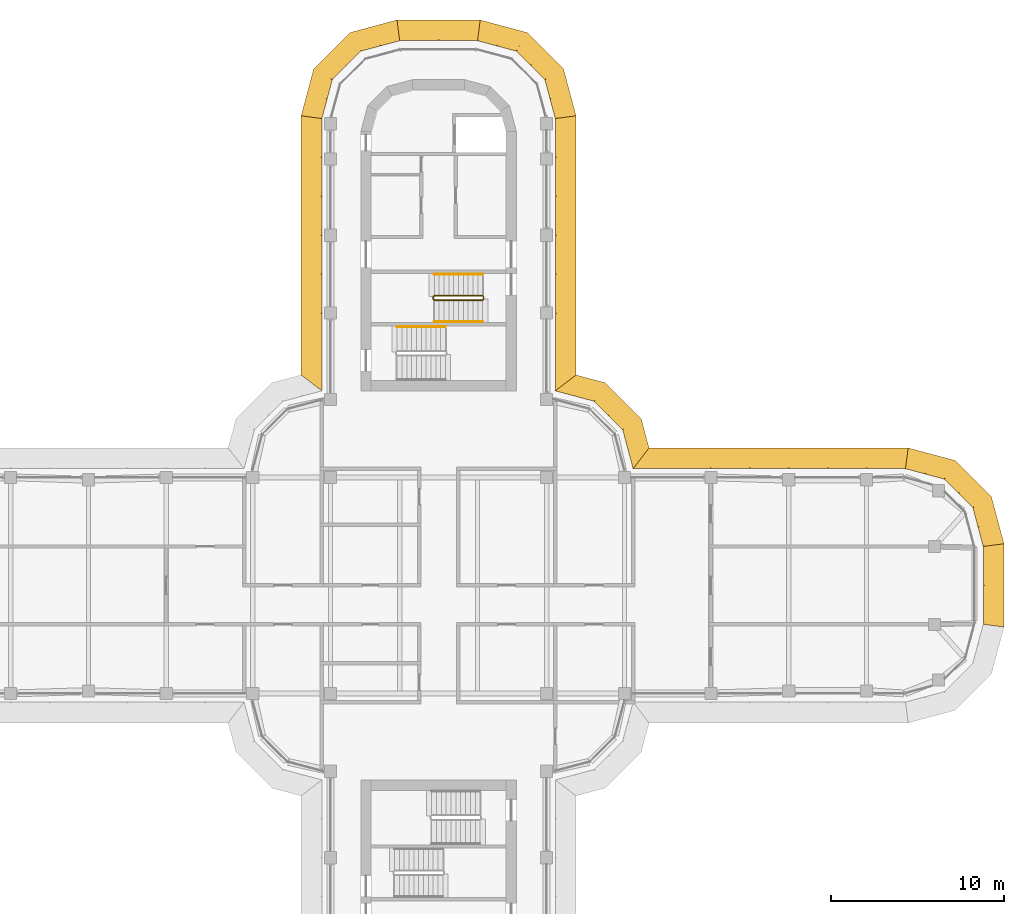
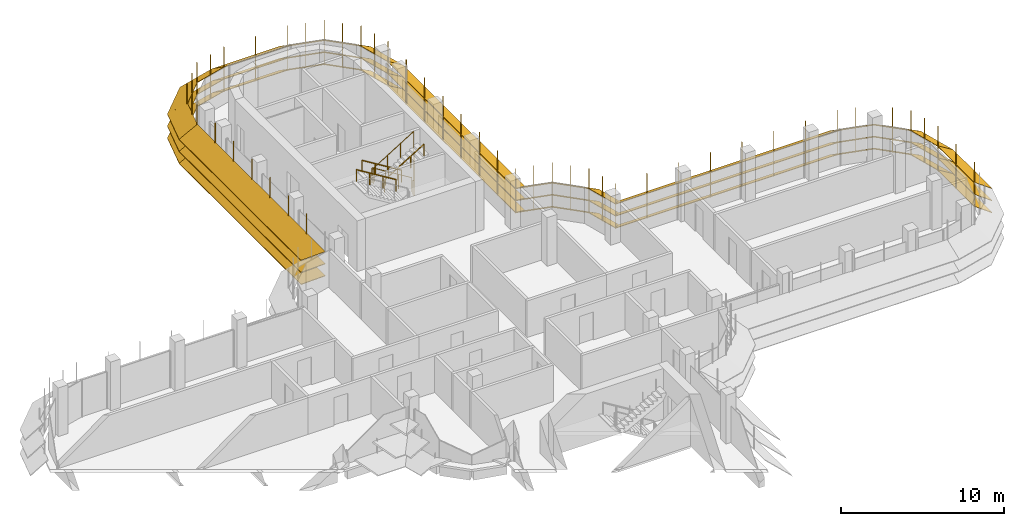
# One storey, part 19 of 19: 9 shading devices, 4 railings.
"""IFC4 building model written with IfcOpenShell, lengths in metres."""

from ifc_helpers import new_model, si_unit, direction, frame, origin, origin_2d, place, context, subcontext, project, spatial, polyline, circle, outline, extrude, faceted_brep, source, transform, mapped, material, type_object, element, save


model = new_model("IFC4")

# Units and contexts
model_context = context("Model", 3, precision=1e-05, world=origin(), true_north=direction((0.0, 1.0)))
body_context = subcontext(model_context, "Body", "Model", "MODEL_VIEW")
ifc_project = project(units=[si_unit("LENGTHUNIT", "METRE"), si_unit("AREAUNIT", "SQUARE_METRE"), si_unit("VOLUMEUNIT", "CUBIC_METRE"), si_unit("PLANEANGLEUNIT", "RADIAN"), si_unit("MASSUNIT", "GRAM", prefix="KILO")], contexts=[model_context])

# Site, building, storey
site_placement = place(None, origin())
site = spatial("IfcSite", under=ifc_project, at=site_placement, CompositionType="ELEMENT")
building_placement = place(site_placement, origin())
building = spatial("IfcBuilding", under=site, at=building_placement, Name="Zarbagh Exchange Tower", CompositionType="ELEMENT")
storey_placement = place(building_placement, frame((0.0, 0.0, 199.199951171875)))
storey = spatial("IfcBuildingStorey", under=building, at=storey_placement, Name="L48", CompositionType="ELEMENT", Elevation=199.199951171875)

# Railings
ifc_material_1 = material(Name="Stainless steel", Category="steel")
railing_type_1 = type_object("IfcRailingType", Name="Stair guard 1100 mm", PredefinedType="GUARDRAIL", material=ifc_material_1)
railing_1_placement = place(storey_placement, frame((2.550048828125, 16.75, 0.1728515625)))
element("IfcRailing", 1, at=railing_1_placement, inside=storey, type_object=railing_type_1, Name="ST1 stair guard 1", PredefinedType="GUARDRAIL", context=body_context, shape_type="SweptSolid", body=[
    extrude(circle(Radius=0.02392578125, at=origin_2d()), frame((0.0, 0.0, 1.076171875), z_axis=(-0.851089632645, 0.0, 0.525020415988), x_axis=(0.0, -1.0, 0.0)), (0.0, 0.0, 1.0), 3.2900390625),
    extrude(circle(Radius=0.02392578125, at=origin_2d()), frame((-2.800048828125, 0.0, 2.80322265625), z_axis=(-0.707106781187, -0.707106781187, 0.0), x_axis=(0.707106781187, -0.707106781187, 0.0)), (0.0, 0.0, 1.0), 0.07080078125),
    extrude(circle(Radius=0.02392578125, at=origin_2d()), frame((-2.85009765625, -0.050048828125, 2.80322265625), z_axis=(0.0, -1.0, 0.0), x_axis=(1.0, 0.0, 0.0)), (0.0, 0.0, 1.0), 0.14990234375),
    extrude(circle(Radius=0.02392578125, at=origin_2d()), frame((-2.85009765625, -0.199951171875, 2.80322265625), z_axis=(0.268277960024, -0.268277960024, 0.925231793839), x_axis=(0.707106781187, 0.707106781187, 0.0)), (0.0, 0.0, 1.0), 0.1865234375),
    extrude(circle(Radius=0.02392578125, at=origin_2d()), frame((-2.800048828125, -0.25, 2.97607421875), z_axis=(0.851089632645, 0.0, 0.525020415988), x_axis=(0.0, 1.0, 0.0)), (0.0, 0.0, 1.0), 3.2900390625),
    extrude(circle(Radius=0.02392578125, at=origin_2d()), frame((0.0, -0.25, 4.703125), z_axis=(0.013168290981, 0.013168290981, -0.999826581076), x_axis=(-0.707106781187, 0.707106781187, 0.0)), (0.0, 0.0, 1.0), 3.80078125),
    extrude(circle(Radius=0.02392578125, at=origin_2d()), frame((0.050048828125, -0.199951171875, 0.9033203125), z_axis=(0.0, 1.0, 0.0), x_axis=(-1.0, 0.0, 0.0)), (0.0, 0.0, 1.0), 0.14990234375),
    extrude(circle(Radius=0.02099609375, at=origin_2d()), origin(), (0.0, 0.0, 1.0), 1.052001953125),
    extrude(circle(Radius=0.02099609375, at=origin_2d()), frame((-0.933349609375, 0.0, 0.57568359375)), (0.0, 0.0, 1.0), 1.052001953125),
    extrude(circle(Radius=0.02099609375, at=origin_2d()), frame((-1.86669921875, 0.0, 1.151611328125)), (0.0, 0.0, 1.0), 1.052001953125),
    extrude(circle(Radius=0.02099609375, at=origin_2d()), frame((-2.800048828125, 0.0, 1.727294921875)), (0.0, 0.0, 1.0), 1.052001953125),
    extrude(circle(Radius=0.02099609375, at=origin_2d()), frame((-2.85009765625, -0.050048828125, 1.727294921875)), (0.0, 0.0, 1.0), 1.052001953125),
    extrude(circle(Radius=0.02099609375, at=origin_2d()), frame((-2.85009765625, -0.199951171875, 1.727294921875)), (0.0, 0.0, 1.0), 1.052001953125),
    extrude(circle(Radius=0.02099609375, at=origin_2d()), frame((-2.800048828125, -0.25, 1.89990234375)), (0.0, 0.0, 1.0), 1.052001953125),
    extrude(circle(Radius=0.02099609375, at=origin_2d()), frame((-1.86669921875, -0.25, 2.4755859375)), (0.0, 0.0, 1.0), 1.052001953125),
    extrude(circle(Radius=0.02099609375, at=origin_2d()), frame((-0.933349609375, -0.25, 3.051513671875)), (0.0, 0.0, 1.0), 1.052001953125),
    extrude(circle(Radius=0.02099609375, at=origin_2d()), frame((0.0, -0.25, 3.627197265625)), (0.0, 0.0, 1.0), 1.052001953125),
    extrude(circle(Radius=0.02099609375, at=origin_2d()), frame((0.012451171875, -0.237548828125, 2.67724609375)), (0.0, 0.0, 1.0), 1.052001953125),
    extrude(circle(Radius=0.02099609375, at=origin_2d()), frame((0.02490234375, -0.22509765625, 1.72705078125)), (0.0, 0.0, 1.0), 1.052001953125),
    extrude(circle(Radius=0.02099609375, at=origin_2d()), frame((0.03759765625, -0.21240234375, 0.777099609375)), (0.0, 0.0, 1.0), 1.052001953125),
    extrude(circle(Radius=0.02099609375, at=origin_2d()), frame((0.050048828125, -0.199951171875, -0.1728515625)), (0.0, 0.0, 1.0), 1.052001953125),
    extrude(circle(Radius=0.02099609375, at=origin_2d()), frame((0.050048828125, -0.050048828125, -0.1728515625)), (0.0, 0.0, 1.0), 1.052001953125),
])
railing_type_2 = type_object("IfcRailingType", Name="Stair handrail 900 mm", PredefinedType="HANDRAIL", material=ifc_material_1)
railing_2_placement = place(storey_placement, frame((2.550048828125, 18.0, 0.1728515625)))
element("IfcRailing", 2, at=railing_2_placement, inside=storey, type_object=railing_type_2, Name="ST1 stair handrail 1", PredefinedType="HANDRAIL", context=body_context, shape_type="SweptSolid", body=[
    extrude(circle(Radius=0.02392578125, at=origin_2d()), frame((0.0, 0.0, 0.8759765625), z_axis=(-0.851089632645, 0.0, 0.525020415988), x_axis=(0.0, -1.0, 0.0)), (0.0, 0.0, 1.0), 3.2900390625),
    extrude(circle(Radius=0.02099609375, at=origin_2d()), origin(), (0.0, 0.0, 1.0), 0.851806640625),
    extrude(circle(Radius=0.02099609375, at=origin_2d()), frame((-0.933349609375, 0.0, 0.57568359375)), (0.0, 0.0, 1.0), 0.851806640625),
    extrude(circle(Radius=0.02099609375, at=origin_2d()), frame((-1.86669921875, 0.0, 1.151611328125)), (0.0, 0.0, 1.0), 0.851806640625),
    extrude(circle(Radius=0.02099609375, at=origin_2d()), frame((-2.800048828125, 0.0, 1.727294921875)), (0.0, 0.0, 1.0), 0.851806640625),
])
railing_3_placement = place(storey_placement, frame((-0.25, 15.25, 2.07275390625)))
element("IfcRailing", 3, at=railing_3_placement, inside=storey, type_object=railing_type_2, Name="ST1 stair handrail 2", PredefinedType="HANDRAIL", context=body_context, shape_type="SweptSolid", body=[
    extrude(circle(Radius=0.02392578125, at=origin_2d()), frame((0.0, 0.0, 0.8759765625), z_axis=(0.851089632645, 0.0, 0.525020415988), x_axis=(0.0, 1.0, 0.0)), (0.0, 0.0, 1.0), 3.2900390625),
    extrude(circle(Radius=0.02099609375, at=origin_2d()), origin(), (0.0, 0.0, 1.0), 0.851806640625),
    extrude(circle(Radius=0.02099609375, at=origin_2d()), frame((0.933349609375, 0.0, 0.57568359375)), (0.0, 0.0, 1.0), 0.851806640625),
    extrude(circle(Radius=0.02099609375, at=origin_2d()), frame((1.86669921875, 0.0, 1.151611328125)), (0.0, 0.0, 1.0), 0.851806640625),
    extrude(circle(Radius=0.02099609375, at=origin_2d()), frame((2.800048828125, 0.0, 1.727294921875)), (0.0, 0.0, 1.0), 0.851806640625),
])
railing_4_placement = place(storey_placement, frame((0.39990234375, 14.949951171875, 2.07275390625)))
element("IfcRailing", 4, at=railing_4_placement, inside=storey, type_object=railing_type_2, Name="ST2 stair handrail 2", PredefinedType="HANDRAIL", context=body_context, shape_type="SweptSolid", body=[
    extrude(circle(Radius=0.02392578125, at=origin_2d()), frame((0.0, 0.0, 0.8759765625), z_axis=(-0.851069175582, 0.0, 0.525053576669), x_axis=(0.0, -1.0, 0.0)), (0.0, 0.0, 1.0), 3.289794921875),
    extrude(circle(Radius=0.02099609375, at=origin_2d()), origin(), (0.0, 0.0, 1.0), 0.851806640625),
    extrude(circle(Radius=0.02099609375, at=origin_2d()), frame((-0.933349609375, 0.0, 0.57568359375)), (0.0, 0.0, 1.0), 0.851806640625),
    extrude(circle(Radius=0.02099609375, at=origin_2d()), frame((-1.866455078125, 0.0, 1.151611328125)), (0.0, 0.0, 1.0), 0.851806640625),
    extrude(circle(Radius=0.02099609375, at=origin_2d()), frame((-2.7998046875, 0.0, 1.727294921875)), (0.0, 0.0, 1.0), 0.851806640625),
])

# Shading devices
ifc_material_2 = material(Name="Anodised aluminium blades and brackets", Category="aluminium")
shading_device_type = type_object("IfcShadingDeviceType", Name="SUNSHADE louvre band, 33.75 degree blades", PredefinedType="JALOUSIE", material=ifc_material_2)
shared_shape_1 = source(origin(), body_context, "Body", "Brep", [
    faceted_brep([(0.0, 0.0, 0.0), (0.0, 0.0, -0.048095703125), (-0.157958984375, -1.199951171875, -0.849853515625), (-0.157958984375, -1.199951171875, -0.8017578125), (2.65087890625, -1.199951171875, -0.8017578125), (2.65087890625, -1.199951171875, -0.849853515625), (2.329345703125, 0.0, -0.048095703125), (2.329345703125, 0.0, 0.0)], [[[0, 1, 2, 3]], [[4, 5, 6, 7]], [[0, 7, 6, 1]], [[1, 6, 5, 2]], [[2, 5, 4, 3]], [[3, 4, 7, 0]]]),
])
shared_shape_2 = source(origin(), body_context, "Body", "Brep", [
    faceted_brep([(0.0, 0.0, 0.0), (0.0, 0.0, -0.048095703125), (-0.321533203125, -1.199951171875, -0.849853515625), (-0.321533203125, -1.199951171875, -0.8017578125), (2.65087890625, -1.199951171875, -0.8017578125), (2.65087890625, -1.199951171875, -0.849853515625), (2.329345703125, 0.0, -0.048095703125), (2.329345703125, 0.0, 0.0)], [[[0, 1, 2, 3]], [[4, 5, 6, 7]], [[0, 7, 6, 1]], [[1, 6, 5, 2]], [[2, 5, 4, 3]], [[3, 4, 7, 0]]]),
])
shared_shape_3 = source(origin(), body_context, "Body", "Brep", [
    faceted_brep([(0.0, 0.0, 0.0), (0.0, 0.0, -0.048095703125), (-0.321533203125, -1.199951171875, -0.849853515625), (-0.321533203125, -1.199951171875, -0.8017578125), (2.4873046875, -1.199951171875, -0.8017578125), (2.4873046875, -1.199951171875, -0.849853515625), (2.329345703125, 0.0, -0.048095703125), (2.329345703125, 0.0, 0.0)], [[[0, 1, 2, 3]], [[4, 5, 6, 7]], [[0, 7, 6, 1]], [[1, 6, 5, 2]], [[2, 5, 4, 3]], [[3, 4, 7, 0]]]),
])
shared_shape_4 = source(origin(), body_context, "Body", "SweptSolid", [
    extrude(outline(polyline([(0.0, -0.012451171875), (0.06005859375, -0.012451171875), (0.06005859375, 0.012451171875), (0.0, 0.012451171875), (0.0, -0.012451171875)])), origin(), (0.0, 0.0, 1.0), 3.358154296875),
])
placement = place(storey_placement, origin())
element("IfcShadingDevice", 5, at=placement, inside=storey, type_object=shading_device_type, Name="SS33 sunshade band", PredefinedType="JALOUSIE", context=body_context, shape_type="MappedRepresentation", body=[
    mapped(shared_shape_1, transform((31.5, 2.25, 2.300048828125), x_axis=(-0.258824779902, 0.965924289636, 0.0), y_axis=(-0.965924289636, -0.258824779902, 0.0), z_axis=(0.0, 0.0, 1.0))),
    mapped(shared_shape_1, transform((31.5, 2.25, 1.400146484375), x_axis=(-0.258824779902, 0.965924289636, 0.0), y_axis=(-0.965924289636, -0.258824779902, 0.0), z_axis=(0.0, 0.0, 1.0))),
    mapped(shared_shape_1, transform((31.5, 2.25, 0.5), x_axis=(-0.258824779902, 0.965924289636, 0.0), y_axis=(-0.965924289636, -0.258824779902, 0.0), z_axis=(0.0, 0.0, 1.0))),
    mapped(shared_shape_2, transform((30.897216796875, 4.5, 2.300048828125), x_axis=(-0.707106781187, 0.707106781187, 0.0), y_axis=(-0.707106781187, -0.707106781187, 0.0), z_axis=(0.0, 0.0, 1.0))),
    mapped(shared_shape_2, transform((30.897216796875, 4.5, 1.400146484375), x_axis=(-0.707106781187, 0.707106781187, 0.0), y_axis=(-0.707106781187, -0.707106781187, 0.0), z_axis=(0.0, 0.0, 1.0))),
    mapped(shared_shape_2, transform((30.897216796875, 4.5, 0.5), x_axis=(-0.707106781187, 0.707106781187, 0.0), y_axis=(-0.707106781187, -0.707106781187, 0.0), z_axis=(0.0, 0.0, 1.0))),
    mapped(shared_shape_3, transform((29.25, 6.147216796875, 2.300048828125), x_axis=(-0.965924289636, 0.258824779902, 0.0), y_axis=(-0.258824779902, -0.965924289636, 0.0), z_axis=(0.0, 0.0, 1.0))),
    mapped(shared_shape_3, transform((29.25, 6.147216796875, 1.400146484375), x_axis=(-0.965924289636, 0.258824779902, 0.0), y_axis=(-0.258824779902, -0.965924289636, 0.0), z_axis=(0.0, 0.0, 1.0))),
    mapped(shared_shape_3, transform((29.25, 6.147216796875, 0.5), x_axis=(-0.965924289636, 0.258824779902, 0.0), y_axis=(-0.258824779902, -0.965924289636, 0.0), z_axis=(0.0, 0.0, 1.0))),
    mapped(shared_shape_4, transform((31.5, 2.25, 0.421875), x_axis=(0.991444457092, 0.130529263012, 0.0), y_axis=(-0.130529263012, 0.991444457092, 0.0), z_axis=(0.0, 0.0, 1.0))),
    mapped(shared_shape_4, transform((31.198486328125, 3.375, 0.421875), x_axis=(0.96592421511, 0.258825058029, 0.0), y_axis=(-0.258825058029, 0.96592421511, 0.0), z_axis=(0.0, 0.0, 1.0))),
    mapped(shared_shape_4, transform((30.897216796875, 4.5, 0.421875), x_axis=(0.866023812018, 0.50000275701, 0.0), y_axis=(-0.50000275701, 0.866023812018, 0.0), z_axis=(0.0, 0.0, 1.0))),
    mapped(shared_shape_4, transform((30.073486328125, 5.323486328125, 0.421875), x_axis=(0.707106781187, 0.707106781187, 0.0), y_axis=(-0.707106781187, 0.707106781187, 0.0), z_axis=(0.0, 0.0, 1.0))),
    mapped(shared_shape_4, transform((29.25, 6.147216796875, 0.421875), x_axis=(0.50000275701, 0.866023812018, 0.0), y_axis=(-0.866023812018, 0.50000275701, 0.0), z_axis=(0.0, 0.0, 1.0))),
    mapped(shared_shape_4, transform((28.125, 6.448486328125, 0.421875), x_axis=(0.258825058029, 0.96592421511, 0.0), y_axis=(-0.96592421511, 0.258825058029, 0.0), z_axis=(0.0, 0.0, 1.0))),
])
element("IfcShadingDevice", 6, at=placement, inside=storey, type_object=shading_device_type, Name="SS26 sunshade band", PredefinedType="JALOUSIE", context=body_context, shape_type="MappedRepresentation", body=[
    mapped(shared_shape_1, transform((6.75, 27.0, 2.300048828125), x_axis=(-0.258824779902, 0.965924289636, 0.0), y_axis=(-0.965924289636, -0.258824779902, 0.0), z_axis=(0.0, 0.0, 1.0))),
    mapped(shared_shape_1, transform((6.75, 27.0, 1.400146484375), x_axis=(-0.258824779902, 0.965924289636, 0.0), y_axis=(-0.965924289636, -0.258824779902, 0.0), z_axis=(0.0, 0.0, 1.0))),
    mapped(shared_shape_1, transform((6.75, 27.0, 0.5), x_axis=(-0.258824779902, 0.965924289636, 0.0), y_axis=(-0.965924289636, -0.258824779902, 0.0), z_axis=(0.0, 0.0, 1.0))),
    mapped(shared_shape_2, transform((6.147216796875, 29.25, 2.300048828125), x_axis=(-0.707106781187, 0.707106781187, 0.0), y_axis=(-0.707106781187, -0.707106781187, 0.0), z_axis=(0.0, 0.0, 1.0))),
    mapped(shared_shape_2, transform((6.147216796875, 29.25, 1.400146484375), x_axis=(-0.707106781187, 0.707106781187, 0.0), y_axis=(-0.707106781187, -0.707106781187, 0.0), z_axis=(0.0, 0.0, 1.0))),
    mapped(shared_shape_2, transform((6.147216796875, 29.25, 0.5), x_axis=(-0.707106781187, 0.707106781187, 0.0), y_axis=(-0.707106781187, -0.707106781187, 0.0), z_axis=(0.0, 0.0, 1.0))),
    mapped(shared_shape_3, transform((4.5, 30.897216796875, 2.300048828125), x_axis=(-0.965924289636, 0.258824779902, 0.0), y_axis=(-0.258824779902, -0.965924289636, 0.0), z_axis=(0.0, 0.0, 1.0))),
    mapped(shared_shape_3, transform((4.5, 30.897216796875, 1.400146484375), x_axis=(-0.965924289636, 0.258824779902, 0.0), y_axis=(-0.258824779902, -0.965924289636, 0.0), z_axis=(0.0, 0.0, 1.0))),
    mapped(shared_shape_3, transform((4.5, 30.897216796875, 0.5), x_axis=(-0.965924289636, 0.258824779902, 0.0), y_axis=(-0.258824779902, -0.965924289636, 0.0), z_axis=(0.0, 0.0, 1.0))),
    mapped(shared_shape_4, transform((6.75, 27.0, 0.421875), x_axis=(0.991444457092, 0.130529263012, 0.0), y_axis=(-0.130529263012, 0.991444457092, 0.0), z_axis=(0.0, 0.0, 1.0))),
    mapped(shared_shape_4, transform((6.448486328125, 28.125, 0.421875), x_axis=(0.96592421511, 0.258825058029, 0.0), y_axis=(-0.258825058029, 0.96592421511, 0.0), z_axis=(0.0, 0.0, 1.0))),
    mapped(shared_shape_4, transform((6.147216796875, 29.25, 0.421875), x_axis=(0.866023812018, 0.50000275701, 0.0), y_axis=(-0.50000275701, 0.866023812018, 0.0), z_axis=(0.0, 0.0, 1.0))),
    mapped(shared_shape_4, transform((5.323486328125, 30.073486328125, 0.421875), x_axis=(0.707106781187, 0.707106781187, 0.0), y_axis=(-0.707106781187, 0.707106781187, 0.0), z_axis=(0.0, 0.0, 1.0))),
    mapped(shared_shape_4, transform((4.5, 30.897216796875, 0.421875), x_axis=(0.50000275701, 0.866023812018, 0.0), y_axis=(-0.866023812018, 0.50000275701, 0.0), z_axis=(0.0, 0.0, 1.0))),
    mapped(shared_shape_4, transform((3.375, 31.198486328125, 0.421875), x_axis=(0.258825058029, 0.96592421511, 0.0), y_axis=(-0.96592421511, 0.258825058029, 0.0), z_axis=(0.0, 0.0, 1.0))),
])
element("IfcShadingDevice", 7, at=placement, inside=storey, type_object=shading_device_type, Name="SS28 sunshade band", PredefinedType="JALOUSIE", context=body_context, shape_type="MappedRepresentation", body=[
    mapped(shared_shape_1, transform((-2.25, 31.5, 2.300048828125), x_axis=(-0.965924289636, -0.258824779902, 0.0), y_axis=(0.258824779902, -0.965924289636, 0.0), z_axis=(0.0, 0.0, 1.0))),
    mapped(shared_shape_1, transform((-2.25, 31.5, 1.400146484375), x_axis=(-0.965924289636, -0.258824779902, 0.0), y_axis=(0.258824779902, -0.965924289636, 0.0), z_axis=(0.0, 0.0, 1.0))),
    mapped(shared_shape_1, transform((-2.25, 31.5, 0.5), x_axis=(-0.965924289636, -0.258824779902, 0.0), y_axis=(0.258824779902, -0.965924289636, 0.0), z_axis=(0.0, 0.0, 1.0))),
    mapped(shared_shape_2, transform((-4.5, 30.897216796875, 2.300048828125), x_axis=(-0.707106781187, -0.707106781187, 0.0), y_axis=(0.707106781187, -0.707106781187, 0.0), z_axis=(0.0, 0.0, 1.0))),
    mapped(shared_shape_2, transform((-4.5, 30.897216796875, 1.400146484375), x_axis=(-0.707106781187, -0.707106781187, 0.0), y_axis=(0.707106781187, -0.707106781187, 0.0), z_axis=(0.0, 0.0, 1.0))),
    mapped(shared_shape_2, transform((-4.5, 30.897216796875, 0.5), x_axis=(-0.707106781187, -0.707106781187, 0.0), y_axis=(0.707106781187, -0.707106781187, 0.0), z_axis=(0.0, 0.0, 1.0))),
    mapped(shared_shape_3, transform((-6.147216796875, 29.25, 2.300048828125), x_axis=(-0.258824779902, -0.965924289636, 0.0), y_axis=(0.965924289636, -0.258824779902, 0.0), z_axis=(0.0, 0.0, 1.0))),
    mapped(shared_shape_3, transform((-6.147216796875, 29.25, 1.400146484375), x_axis=(-0.258824779902, -0.965924289636, 0.0), y_axis=(0.965924289636, -0.258824779902, 0.0), z_axis=(0.0, 0.0, 1.0))),
    mapped(shared_shape_3, transform((-6.147216796875, 29.25, 0.5), x_axis=(-0.258824779902, -0.965924289636, 0.0), y_axis=(0.965924289636, -0.258824779902, 0.0), z_axis=(0.0, 0.0, 1.0))),
    mapped(shared_shape_4, transform((-2.25, 31.5, 0.421875), x_axis=(-0.130529263012, 0.991444457092, 0.0), y_axis=(-0.991444457092, -0.130529263012, 0.0), z_axis=(0.0, 0.0, 1.0))),
    mapped(shared_shape_4, transform((-3.375, 31.198486328125, 0.421875), x_axis=(-0.258825058029, 0.96592421511, 0.0), y_axis=(-0.96592421511, -0.258825058029, 0.0), z_axis=(0.0, 0.0, 1.0))),
    mapped(shared_shape_4, transform((-4.5, 30.897216796875, 0.421875), x_axis=(-0.50000275701, 0.866023812018, 0.0), y_axis=(-0.866023812018, -0.50000275701, 0.0), z_axis=(0.0, 0.0, 1.0))),
    mapped(shared_shape_4, transform((-5.323486328125, 30.073486328125, 0.421875), x_axis=(-0.707106781187, 0.707106781187, 0.0), y_axis=(-0.707106781187, -0.707106781187, 0.0), z_axis=(0.0, 0.0, 1.0))),
    mapped(shared_shape_4, transform((-6.147216796875, 29.25, 0.421875), x_axis=(-0.866023812018, 0.50000275701, 0.0), y_axis=(-0.50000275701, -0.866023812018, 0.0), z_axis=(0.0, 0.0, 1.0))),
    mapped(shared_shape_4, transform((-6.448486328125, 28.125, 0.421875), x_axis=(-0.96592421511, 0.258825058029, 0.0), y_axis=(-0.258825058029, -0.96592421511, 0.0), z_axis=(0.0, 0.0, 1.0))),
])
shared_shape_5 = source(origin(), body_context, "Body", "Brep", [
    faceted_brep([(0.0, 0.0, 0.0), (0.0, 0.0, -0.048095703125), (0.9208984375, -1.199951171875, -0.849853515625), (0.9208984375, -1.199951171875, -0.8017578125), (2.65087890625, -1.199951171875, -0.8017578125), (2.65087890625, -1.199951171875, -0.849853515625), (2.329345703125, 0.0, -0.048095703125), (2.329345703125, 0.0, 0.0)], [[[0, 1, 2, 3]], [[4, 5, 6, 7]], [[0, 7, 6, 1]], [[1, 6, 5, 2]], [[2, 5, 4, 3]], [[3, 4, 7, 0]]]),
])
shared_shape_6 = source(origin(), body_context, "Body", "Brep", [
    faceted_brep([(0.0, 0.0, 0.0), (0.0, 0.0, -0.048095703125), (-0.321533203125, -1.199951171875, -0.849853515625), (-0.321533203125, -1.199951171875, -0.8017578125), (1.40869140625, -1.199951171875, -0.8017578125), (1.40869140625, -1.199951171875, -0.849853515625), (2.329345703125, 0.0, -0.048095703125), (2.329345703125, 0.0, 0.0)], [[[0, 1, 2, 3]], [[4, 5, 6, 7]], [[0, 7, 6, 1]], [[1, 6, 5, 2]], [[2, 5, 4, 3]], [[3, 4, 7, 0]]]),
])
element("IfcShadingDevice", 8, at=placement, inside=storey, type_object=shading_device_type, Name="SS09 sunshade band", PredefinedType="JALOUSIE", context=body_context, shape_type="MappedRepresentation", body=[
    mapped(shared_shape_5, transform((11.25, 6.75, 2.300048828125), x_axis=(-0.258824779902, 0.965924289636, 0.0), y_axis=(-0.965924289636, -0.258824779902, 0.0), z_axis=(0.0, 0.0, 1.0))),
    mapped(shared_shape_5, transform((11.25, 6.75, 1.400146484375), x_axis=(-0.258824779902, 0.965924289636, 0.0), y_axis=(-0.965924289636, -0.258824779902, 0.0), z_axis=(0.0, 0.0, 1.0))),
    mapped(shared_shape_5, transform((11.25, 6.75, 0.5), x_axis=(-0.258824779902, 0.965924289636, 0.0), y_axis=(-0.965924289636, -0.258824779902, 0.0), z_axis=(0.0, 0.0, 1.0))),
    mapped(shared_shape_2, transform((10.647216796875, 9.0, 2.300048828125), x_axis=(-0.707106781187, 0.707106781187, 0.0), y_axis=(-0.707106781187, -0.707106781187, 0.0), z_axis=(0.0, 0.0, 1.0))),
    mapped(shared_shape_2, transform((10.647216796875, 9.0, 1.400146484375), x_axis=(-0.707106781187, 0.707106781187, 0.0), y_axis=(-0.707106781187, -0.707106781187, 0.0), z_axis=(0.0, 0.0, 1.0))),
    mapped(shared_shape_2, transform((10.647216796875, 9.0, 0.5), x_axis=(-0.707106781187, 0.707106781187, 0.0), y_axis=(-0.707106781187, -0.707106781187, 0.0), z_axis=(0.0, 0.0, 1.0))),
    mapped(shared_shape_6, transform((9.0, 10.647216796875, 2.300048828125), x_axis=(-0.965924289636, 0.258824779902, 0.0), y_axis=(-0.258824779902, -0.965924289636, 0.0), z_axis=(0.0, 0.0, 1.0))),
    mapped(shared_shape_6, transform((9.0, 10.647216796875, 1.400146484375), x_axis=(-0.965924289636, 0.258824779902, 0.0), y_axis=(-0.258824779902, -0.965924289636, 0.0), z_axis=(0.0, 0.0, 1.0))),
    mapped(shared_shape_6, transform((9.0, 10.647216796875, 0.5), x_axis=(-0.965924289636, 0.258824779902, 0.0), y_axis=(-0.258824779902, -0.965924289636, 0.0), z_axis=(0.0, 0.0, 1.0))),
    mapped(shared_shape_4, transform((11.25, 6.75, 0.421875), x_axis=(0.608758892, 0.793355287, 0.0), y_axis=(-0.793355287, 0.608758892, 0.0), z_axis=(0.0, 0.0, 1.0))),
    mapped(shared_shape_4, transform((10.948486328125, 7.875, 0.421875), x_axis=(0.96592421511, 0.258825058029, 0.0), y_axis=(-0.258825058029, 0.96592421511, 0.0), z_axis=(0.0, 0.0, 1.0))),
    mapped(shared_shape_4, transform((10.647216796875, 9.0, 0.421875), x_axis=(0.866023812018, 0.50000275701, 0.0), y_axis=(-0.50000275701, 0.866023812018, 0.0), z_axis=(0.0, 0.0, 1.0))),
    mapped(shared_shape_4, transform((9.823486328125, 9.823486328125, 0.421875), x_axis=(0.707106781187, 0.707106781187, 0.0), y_axis=(-0.707106781187, 0.707106781187, 0.0), z_axis=(0.0, 0.0, 1.0))),
    mapped(shared_shape_4, transform((9.0, 10.647216796875, 0.421875), x_axis=(0.50000275701, 0.866023812018, 0.0), y_axis=(-0.866023812018, 0.50000275701, 0.0), z_axis=(0.0, 0.0, 1.0))),
    mapped(shared_shape_4, transform((7.875, 10.948486328125, 0.421875), x_axis=(0.258825058029, 0.96592421511, 0.0), y_axis=(-0.96592421511, 0.258825058029, 0.0), z_axis=(0.0, 0.0, 1.0))),
])
shared_shape_7 = source(origin(), body_context, "Body", "Brep", [
    faceted_brep([(0.0, 0.0, 0.0), (0.0, 0.0, -0.048095703125), (-0.157958984375, -1.199951171875, -0.849853515625), (-0.157958984375, -1.199951171875, -0.8017578125), (4.657958984375, -1.199951171875, -0.8017578125), (4.657958984375, -1.199951171875, -0.849853515625), (4.5, 0.0, -0.048095703125), (4.5, 0.0, 0.0)], [[[0, 1, 2, 3]], [[4, 5, 6, 7]], [[0, 7, 6, 1]], [[1, 6, 5, 2]], [[2, 5, 4, 3]], [[3, 4, 7, 0]]]),
])
element("IfcShadingDevice", 9, at=placement, inside=storey, type_object=shading_device_type, Name="SS32 sunshade band", PredefinedType="JALOUSIE", context=body_context, shape_type="MappedRepresentation", body=[
    mapped(shared_shape_7, transform((31.5, -2.25, 2.300048828125), x_axis=(0.0, 1.0, 0.0), y_axis=(-1.0, 0.0, 0.0), z_axis=(0.0, 0.0, 1.0))),
    mapped(shared_shape_7, transform((31.5, -2.25, 1.400146484375), x_axis=(0.0, 1.0, 0.0), y_axis=(-1.0, 0.0, 0.0), z_axis=(0.0, 0.0, 1.0))),
    mapped(shared_shape_7, transform((31.5, -2.25, 0.5), x_axis=(0.0, 1.0, 0.0), y_axis=(-1.0, 0.0, 0.0), z_axis=(0.0, 0.0, 1.0))),
    mapped(shared_shape_4, transform((31.5, -2.25, 0.421875), x_axis=(0.991444457092, -0.130529263012, 0.0), y_axis=(0.130529263012, 0.991444457092, 0.0), z_axis=(0.0, 0.0, 1.0))),
    mapped(shared_shape_4, transform((31.5, 0.0, 0.421875), x_axis=(1.0, 0.0, 0.0), y_axis=(0.0, 1.0, 0.0), z_axis=(0.0, 0.0, 1.0))),
])
shared_shape_8 = source(origin(), body_context, "Body", "Brep", [
    faceted_brep([(0.0, 0.0, 0.0), (0.0, 0.0, -0.048095703125), (-0.157958984375, -1.199951171875, -0.849853515625), (-0.157958984375, -1.199951171875, -0.8017578125), (14.8291015625, -1.199951171875, -0.8017578125), (14.8291015625, -1.199951171875, -0.849853515625), (15.75, 0.0, -0.048095703125), (15.75, 0.0, 0.0)], [[[0, 1, 2, 3]], [[4, 5, 6, 7]], [[0, 7, 6, 1]], [[1, 6, 5, 2]], [[2, 5, 4, 3]], [[3, 4, 7, 0]]]),
])
element("IfcShadingDevice", 10, at=placement, inside=storey, type_object=shading_device_type, Name="SS34 sunshade band", PredefinedType="JALOUSIE", context=body_context, shape_type="MappedRepresentation", body=[
    mapped(shared_shape_8, transform((27.0, 6.75, 2.300048828125), x_axis=(-1.0, 0.0, 0.0), y_axis=(0.0, -1.0, 0.0), z_axis=(0.0, 0.0, 1.0))),
    mapped(shared_shape_8, transform((27.0, 6.75, 1.400146484375), x_axis=(-1.0, 0.0, 0.0), y_axis=(0.0, -1.0, 0.0), z_axis=(0.0, 0.0, 1.0))),
    mapped(shared_shape_8, transform((27.0, 6.75, 0.5), x_axis=(-1.0, 0.0, 0.0), y_axis=(0.0, -1.0, 0.0), z_axis=(0.0, 0.0, 1.0))),
    mapped(shared_shape_4, transform((27.0, 6.75, 0.421875), x_axis=(0.130529263012, 0.991444457092, 0.0), y_axis=(-0.991444457092, 0.130529263012, 0.0), z_axis=(0.0, 0.0, 1.0))),
    mapped(shared_shape_4, transform((24.75, 6.75, 0.421875), x_axis=(0.0, 1.0, 0.0), y_axis=(-1.0, 0.0, 0.0), z_axis=(0.0, 0.0, 1.0))),
    mapped(shared_shape_4, transform((22.5, 6.75, 0.421875), x_axis=(0.0, 1.0, 0.0), y_axis=(-1.0, 0.0, 0.0), z_axis=(0.0, 0.0, 1.0))),
    mapped(shared_shape_4, transform((20.25, 6.75, 0.421875), x_axis=(0.0, 1.0, 0.0), y_axis=(-1.0, 0.0, 0.0), z_axis=(0.0, 0.0, 1.0))),
    mapped(shared_shape_4, transform((18.0, 6.75, 0.421875), x_axis=(0.0, 1.0, 0.0), y_axis=(-1.0, 0.0, 0.0), z_axis=(0.0, 0.0, 1.0))),
    mapped(shared_shape_4, transform((15.75, 6.75, 0.421875), x_axis=(0.0, 1.0, 0.0), y_axis=(-1.0, 0.0, 0.0), z_axis=(0.0, 0.0, 1.0))),
    mapped(shared_shape_4, transform((13.5, 6.75, 0.421875), x_axis=(0.0, 1.0, 0.0), y_axis=(-1.0, 0.0, 0.0), z_axis=(0.0, 0.0, 1.0))),
])
shared_shape_9 = source(origin(), body_context, "Body", "Brep", [
    faceted_brep([(0.0, 0.0, 0.0), (0.0, 0.0, -0.048095703125), (0.9208984375, -1.199951171875, -0.849853515625), (0.9208984375, -1.199951171875, -0.8017578125), (15.907958984375, -1.199951171875, -0.8017578125), (15.907958984375, -1.199951171875, -0.849853515625), (15.75, 0.0, -0.048095703125), (15.75, 0.0, 0.0)], [[[0, 1, 2, 3]], [[4, 5, 6, 7]], [[0, 7, 6, 1]], [[1, 6, 5, 2]], [[2, 5, 4, 3]], [[3, 4, 7, 0]]]),
])
element("IfcShadingDevice", 11, at=placement, inside=storey, type_object=shading_device_type, Name="SS25 sunshade band", PredefinedType="JALOUSIE", context=body_context, shape_type="MappedRepresentation", body=[
    mapped(shared_shape_9, transform((6.75, 11.25, 2.300048828125), x_axis=(0.0, 1.0, 0.0), y_axis=(-1.0, 0.0, 0.0), z_axis=(0.0, 0.0, 1.0))),
    mapped(shared_shape_9, transform((6.75, 11.25, 1.400146484375), x_axis=(0.0, 1.0, 0.0), y_axis=(-1.0, 0.0, 0.0), z_axis=(0.0, 0.0, 1.0))),
    mapped(shared_shape_9, transform((6.75, 11.25, 0.5), x_axis=(0.0, 1.0, 0.0), y_axis=(-1.0, 0.0, 0.0), z_axis=(0.0, 0.0, 1.0))),
    mapped(shared_shape_4, transform((6.75, 11.25, 0.421875), x_axis=(0.793355287, 0.608758892, 0.0), y_axis=(-0.608758892, 0.793355287, 0.0), z_axis=(0.0, 0.0, 1.0))),
    mapped(shared_shape_4, transform((6.75, 13.5, 0.421875), x_axis=(1.0, 0.0, 0.0), y_axis=(0.0, 1.0, 0.0), z_axis=(0.0, 0.0, 1.0))),
    mapped(shared_shape_4, transform((6.75, 15.75, 0.421875), x_axis=(1.0, 0.0, 0.0), y_axis=(0.0, 1.0, 0.0), z_axis=(0.0, 0.0, 1.0))),
    mapped(shared_shape_4, transform((6.75, 18.0, 0.421875), x_axis=(1.0, 0.0, 0.0), y_axis=(0.0, 1.0, 0.0), z_axis=(0.0, 0.0, 1.0))),
    mapped(shared_shape_4, transform((6.75, 20.25, 0.421875), x_axis=(1.0, 0.0, 0.0), y_axis=(0.0, 1.0, 0.0), z_axis=(0.0, 0.0, 1.0))),
    mapped(shared_shape_4, transform((6.75, 22.5, 0.421875), x_axis=(1.0, 0.0, 0.0), y_axis=(0.0, 1.0, 0.0), z_axis=(0.0, 0.0, 1.0))),
    mapped(shared_shape_4, transform((6.75, 24.75, 0.421875), x_axis=(1.0, 0.0, 0.0), y_axis=(0.0, 1.0, 0.0), z_axis=(0.0, 0.0, 1.0))),
])
element("IfcShadingDevice", 12, at=placement, inside=storey, type_object=shading_device_type, Name="SS27 sunshade band", PredefinedType="JALOUSIE", context=body_context, shape_type="MappedRepresentation", body=[
    mapped(shared_shape_7, transform((2.25, 31.5, 2.300048828125), x_axis=(-1.0, 0.0, 0.0), y_axis=(0.0, -1.0, 0.0), z_axis=(0.0, 0.0, 1.0))),
    mapped(shared_shape_7, transform((2.25, 31.5, 1.400146484375), x_axis=(-1.0, 0.0, 0.0), y_axis=(0.0, -1.0, 0.0), z_axis=(0.0, 0.0, 1.0))),
    mapped(shared_shape_7, transform((2.25, 31.5, 0.5), x_axis=(-1.0, 0.0, 0.0), y_axis=(0.0, -1.0, 0.0), z_axis=(0.0, 0.0, 1.0))),
    mapped(shared_shape_4, transform((2.25, 31.5, 0.421875), x_axis=(0.130529263012, 0.991444457092, 0.0), y_axis=(-0.991444457092, 0.130529263012, 0.0), z_axis=(0.0, 0.0, 1.0))),
    mapped(shared_shape_4, transform((0.0, 31.5, 0.421875), x_axis=(0.0, 1.0, 0.0), y_axis=(-1.0, 0.0, 0.0), z_axis=(0.0, 0.0, 1.0))),
])
element("IfcShadingDevice", 13, at=placement, inside=storey, type_object=shading_device_type, Name="SS29 sunshade band", PredefinedType="JALOUSIE", context=body_context, shape_type="MappedRepresentation", body=[
    mapped(shared_shape_8, transform((-6.75, 27.0, 2.300048828125), x_axis=(0.0, -1.0, 0.0), y_axis=(1.0, 0.0, 0.0), z_axis=(0.0, 0.0, 1.0))),
    mapped(shared_shape_8, transform((-6.75, 27.0, 1.400146484375), x_axis=(0.0, -1.0, 0.0), y_axis=(1.0, 0.0, 0.0), z_axis=(0.0, 0.0, 1.0))),
    mapped(shared_shape_8, transform((-6.75, 27.0, 0.5), x_axis=(0.0, -1.0, 0.0), y_axis=(1.0, 0.0, 0.0), z_axis=(0.0, 0.0, 1.0))),
    mapped(shared_shape_4, transform((-6.75, 27.0, 0.421875), x_axis=(-0.991444457092, 0.130529263012, 0.0), y_axis=(-0.130529263012, -0.991444457092, 0.0), z_axis=(0.0, 0.0, 1.0))),
    mapped(shared_shape_4, transform((-6.75, 24.75, 0.421875), x_axis=(-1.0, 0.0, 0.0), y_axis=(0.0, -1.0, 0.0), z_axis=(0.0, 0.0, 1.0))),
    mapped(shared_shape_4, transform((-6.75, 22.5, 0.421875), x_axis=(-1.0, 0.0, 0.0), y_axis=(0.0, -1.0, 0.0), z_axis=(0.0, 0.0, 1.0))),
    mapped(shared_shape_4, transform((-6.75, 20.25, 0.421875), x_axis=(-1.0, 0.0, 0.0), y_axis=(0.0, -1.0, 0.0), z_axis=(0.0, 0.0, 1.0))),
    mapped(shared_shape_4, transform((-6.75, 18.0, 0.421875), x_axis=(-1.0, 0.0, 0.0), y_axis=(0.0, -1.0, 0.0), z_axis=(0.0, 0.0, 1.0))),
    mapped(shared_shape_4, transform((-6.75, 15.75, 0.421875), x_axis=(-1.0, 0.0, 0.0), y_axis=(0.0, -1.0, 0.0), z_axis=(0.0, 0.0, 1.0))),
    mapped(shared_shape_4, transform((-6.75, 13.5, 0.421875), x_axis=(-1.0, 0.0, 0.0), y_axis=(0.0, -1.0, 0.0), z_axis=(0.0, 0.0, 1.0))),
])

save(model, "model.ifc")
